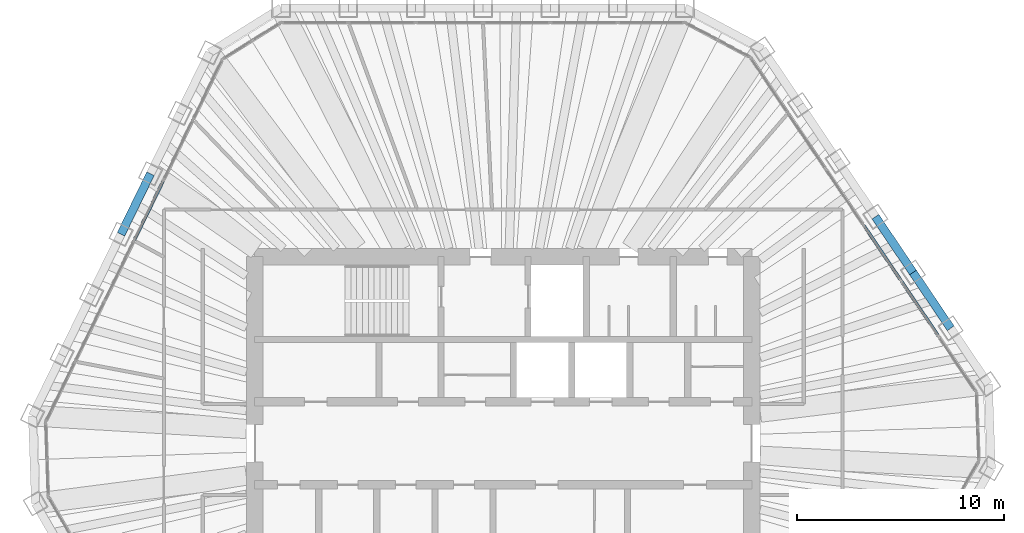
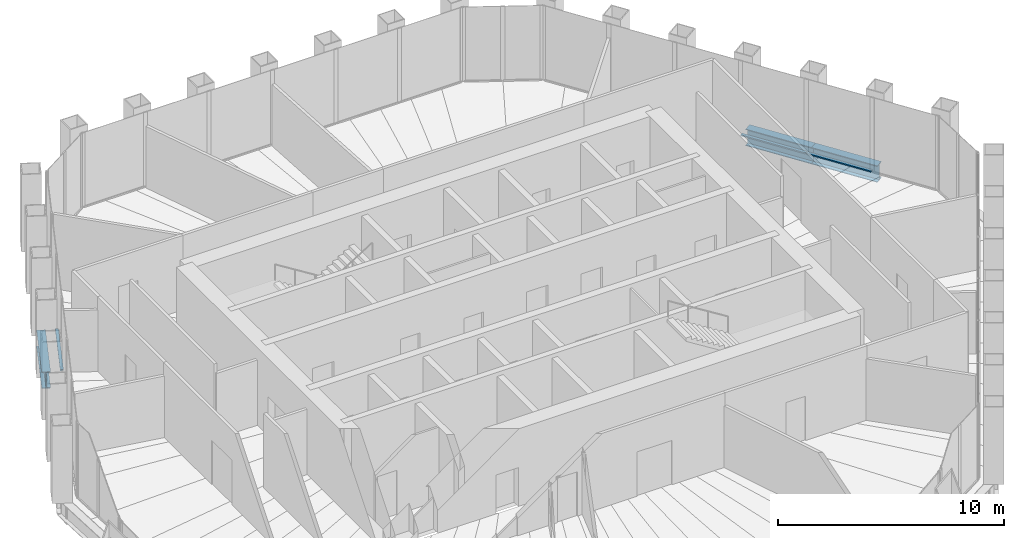
# One storey, part 6 of 14: 3 beams, 3 members, 2 elements without a shape of their own.
"""IFC4 building model written with IfcOpenShell, lengths in metres."""

from ifc_helpers import new_model, si_unit, direction, frame, origin, origin_2d, place, context, subcontext, project, spatial, rectangle, i_section, extrude, material, material_profile, profile_set, type_object, element, aggregate, save


model = new_model("IFC4")

# Units and contexts
model_context = context("Model", 3, precision=1e-05, world=origin(), true_north=direction((0.0, 1.0)))
body_context = subcontext(model_context, "Body", "Model", "MODEL_VIEW")
ifc_project = project(units=[si_unit("LENGTHUNIT", "METRE"), si_unit("AREAUNIT", "SQUARE_METRE"), si_unit("VOLUMEUNIT", "CUBIC_METRE"), si_unit("PLANEANGLEUNIT", "RADIAN"), si_unit("MASSUNIT", "GRAM", prefix="KILO")], contexts=[model_context])

# Site, building, storey
site_placement = place(None, origin())
site = spatial("IfcSite", under=ifc_project, at=site_placement, CompositionType="ELEMENT")
building_placement = place(site_placement, origin())
building = spatial("IfcBuilding", under=site, at=building_placement, Name="Qingtian Harvest Tower", CompositionType="ELEMENT")
storey_placement = place(building_placement, frame((0.0, 0.0, 304.0)))
storey = spatial("IfcBuildingStorey", under=building, at=storey_placement, Name="L67", CompositionType="ELEMENT", Elevation=304.0)

# Beams
ifc_material_1 = material(Name="Steel SN490B", Category="steel")
ifc_material_profile_1 = material_profile(ifc_material_1, i_section(OverallWidth=0.39990234375, OverallDepth=0.89990234375, WebThickness=0.01904296875, FlangeThickness=0.035888671875, at=origin_2d()), Name="H900x400x19x36")
ifc_profile_set_1 = profile_set([ifc_material_profile_1], Name="Steel SN490B")
beam_type = type_object("IfcBeamType", Name="Spandrel beam SB4 H900x400x19x36", PredefinedType="SPANDREL", material=ifc_profile_set_1)
for number, where, z_axis, x_axis, name in (
    (1, (17.956787109375, 10.93212890625, -0.449951171875), (0.55915007887, -0.829066456504, 0.0), (0.829066456504, 0.55915007887, 0.0), "Spandrel SB4 NE3"),
    (2, (19.77294921875, 8.2392578125, -0.449951171875), (0.5592365864, -0.829008106372, 0.0), (0.829008106372, 0.5592365864, 0.0), "Spandrel SB4 NE4"),
    (3, (-18.44580078125, 10.0849609375, -0.449951171875), (0.438352548749, 0.898803116931, 0.0), (-0.898803116931, 0.438352548749, 0.0), "Spandrel SB4 NW3"),
):
    element("IfcBeam", number, at=place(storey_placement, frame(where, z_axis=z_axis, x_axis=x_axis)), inside=storey, type_object=beam_type, Name=name, PredefinedType="SPANDREL", context=body_context, shape_type="SweptSolid", body=[
        extrude(i_section(OverallWidth=0.39990234375, OverallDepth=0.89990234375, WebThickness=0.01904296875, FlangeThickness=0.035888671875, at=origin_2d()), origin(), (0.0, 0.0, 1.0), 3.248046875),
    ])

# Curtain wall, members
ifc_material_2 = material(Name="Bronze-anodised aluminium curtain wall", Category="aluminium")
curtain_wall_type = type_object("IfcCurtainWallType", Name="Curtain wall CW5 upper office", PredefinedType="USERDEFINED", material=ifc_material_2)
curtain_wall_1_placement = place(storey_placement, origin())
curtain_wall_1 = element("IfcCurtainWall", 4, at=curtain_wall_1_placement, inside=storey, type_object=curtain_wall_type, Name="Curtain wall CW5 L67 NE0-5", ObjectType="RECESSED CURTAIN WALL", PredefinedType="USERDEFINED")
ifc_material_3 = material(Name="Bronze-anodised aluminium transom", Category="aluminium")
ifc_material_profile_2 = material_profile(ifc_material_3, rectangle(XDim=0.14990234375, YDim=0.06494140625, at=origin_2d()), Name="AL 65x150")
ifc_profile_set_2 = profile_set([ifc_material_profile_2], Name="Bronze-anodised aluminium transom")
member_type = type_object("IfcMemberType", Name="Transom CWT 65x150", PredefinedType="USERDEFINED", material=ifc_profile_set_2)
member_1_placement = place(storey_placement, frame((17.39453125, 10.513671875, 0.032470703125), z_axis=(0.55920542009, -0.829029129852, 0.0), x_axis=(0.829029129852, 0.55920542009, 0.0)))
member_1 = element("IfcMember", 5, at=member_1_placement, type_object=member_type, Name="CW5 transom 4.1", ObjectType="TRANSOM", PredefinedType="USERDEFINED", context=body_context, shape_type="SweptSolid", body=[
    extrude(rectangle(XDim=0.14990234375, YDim=0.06494140625, at=origin_2d()), origin(), (0.0, 0.0, 1.0), 3.18310546875),
])
member_2_placement = place(storey_placement, frame((19.2109375, 7.821044921875, 0.032470703125), z_axis=(0.559152702955, -0.829064686727, 0.0), x_axis=(0.829064686727, 0.559152702955, 0.0)))
member_2 = element("IfcMember", 6, at=member_2_placement, type_object=member_type, Name="CW5 transom 5.1", ObjectType="TRANSOM", PredefinedType="USERDEFINED", context=body_context, shape_type="SweptSolid", body=[
    extrude(rectangle(XDim=0.14990234375, YDim=0.06494140625, at=origin_2d()), origin(), (0.0, 0.0, 1.0), 3.18310546875),
])
aggregate(curtain_wall_1, [member_1, member_2])

# Curtain wall, member
curtain_wall_2_placement = place(storey_placement, origin())
curtain_wall_2 = element("IfcCurtainWall", 7, at=curtain_wall_2_placement, inside=storey, type_object=curtain_wall_type, Name="Curtain wall CW5 L67 NW0-5", ObjectType="RECESSED CURTAIN WALL", PredefinedType="USERDEFINED")
member_3_placement = place(storey_placement, frame((-17.802490234375, 9.807373046875, 0.032470703125), z_axis=(0.438355626738, 0.898801615768, 0.0), x_axis=(-0.898801615768, 0.438355626738, 0.0)))
member_3 = element("IfcMember", 8, at=member_3_placement, type_object=member_type, Name="CW5 transom 4.1", ObjectType="TRANSOM", PredefinedType="USERDEFINED", context=body_context, shape_type="SweptSolid", body=[
    extrude(rectangle(XDim=0.14990234375, YDim=0.06494140625, at=origin_2d()), origin(), (0.0, 0.0, 1.0), 3.182861328125),
])
aggregate(curtain_wall_2, [member_3])

save(model, "model.ifc")
